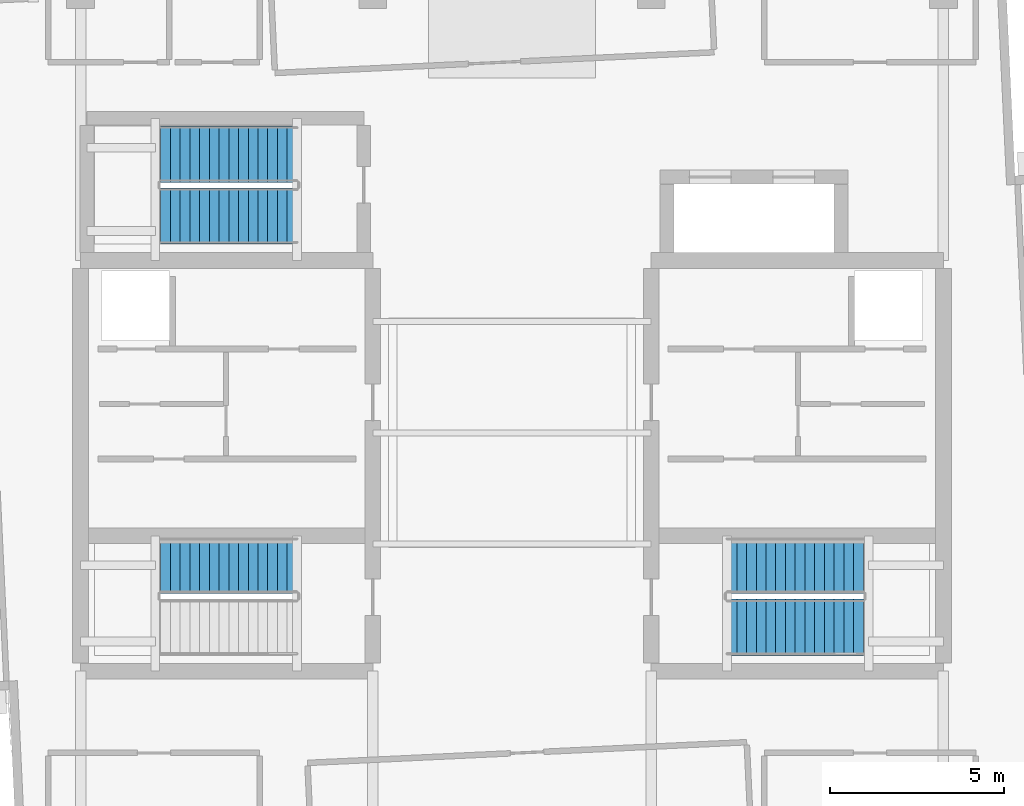
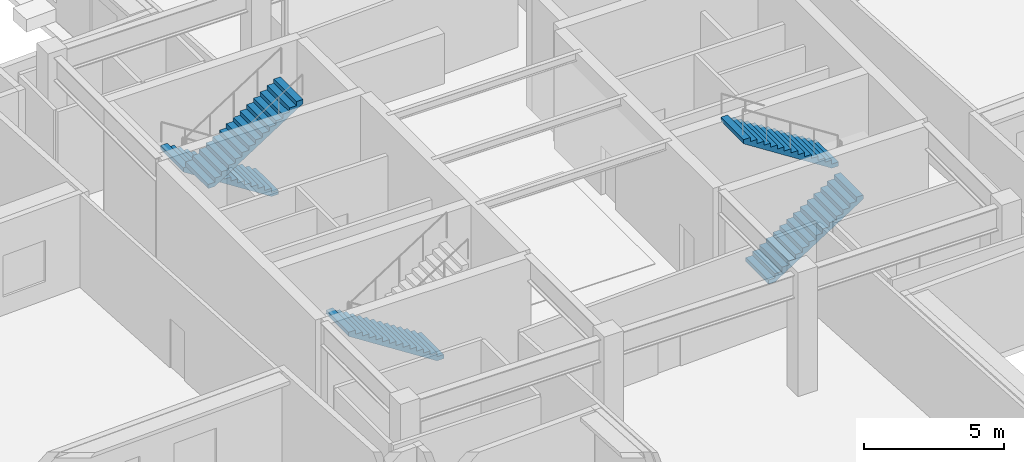
# One storey, part 16 of 22: 5 stair flights, 3 elements without a shape of their own.
"""IFC4 building model written with IfcOpenShell, lengths in metres."""

from ifc_helpers import new_model, si_unit, direction, frame, origin, place, context, subcontext, project, spatial, polyline, outline, extrude, material, layer, layer_set, type_object, element, aggregate, save


model = new_model("IFC4")

# Units and contexts
model_context = context("Model", 3, precision=1e-05, world=origin(), true_north=direction((0.0, 1.0)))
body_context = subcontext(model_context, "Body", "Model", "MODEL_VIEW")
ifc_project = project(units=[si_unit("LENGTHUNIT", "METRE"), si_unit("AREAUNIT", "SQUARE_METRE"), si_unit("VOLUMEUNIT", "CUBIC_METRE"), si_unit("PLANEANGLEUNIT", "RADIAN"), si_unit("MASSUNIT", "GRAM", prefix="KILO")], contexts=[model_context])

# Site, building, storey
site_placement = place(None, origin())
site = spatial("IfcSite", under=ifc_project, at=site_placement, CompositionType="ELEMENT")
building_placement = place(site_placement, origin())
building = spatial("IfcBuilding", under=site, at=building_placement, Name="Qingluan Cross Belvedere", CompositionType="ELEMENT")
storey_placement = place(building_placement, frame((0.0, 0.0, 294.0)))
storey = spatial("IfcBuildingStorey", under=building, at=storey_placement, Name="L73", CompositionType="ELEMENT", Elevation=294.0)

# Stair, stair flight
ifc_material_1 = material(Name="Concrete C40", Category="concrete")
stair_type = type_object("IfcStairType", Name="CoreDoglegStair_1620", PredefinedType="HALF_TURN_STAIR", material=ifc_material_1)
stair_1_placement = place(storey_placement, origin())
stair_1 = element("IfcStair", 1, at=stair_1_placement, inside=storey, type_object=stair_type, Name="L73 ST1", PredefinedType="HALF_TURN_STAIR")
ifc_material_2 = material(Name="Concrete C40", Category="concrete")
ifc_layer = layer(ifc_material_2, 0.179931640625, Name="StairFlight_RC180")
ifc_layer_set = layer_set([ifc_layer], Name="Concrete C40")
stair_flight_type = type_object("IfcStairFlightType", Name="StairFlight_RC180", PredefinedType="STRAIGHT", material=ifc_layer_set)
stair_flight_1_placement = place(storey_placement, frame((-6.179931640625, -3.81005859375, 0.0), z_axis=(0.0, 0.0, 1.0), x_axis=(-1.0, 0.0, 0.0)))
stair_flight_1 = element("IfcStairFlight", 2, at=stair_flight_1_placement, type_object=stair_flight_type, Name="ST1 flight 1", NumberOfRisers=15, NumberOfTreads=14, PredefinedType="STRAIGHT", RiserHeight=0.18, TreadLength=0.28, context=body_context, shape_type="SweptSolid", body=[
    extrude(outline(polyline([(0.0, 0.0), (0.0, 0.179931640625), (0.280029296875, 0.179931640625), (0.280029296875, 0.360107421875), (0.56005859375, 0.360107421875), (0.56005859375, 0.5400390625), (0.840087890625, 0.5400390625), (0.840087890625, 0.719970703125), (1.1201171875, 0.719970703125), (1.1201171875, 0.89990234375), (1.39990234375, 0.89990234375), (1.39990234375, 1.080078125), (1.679931640625, 1.080078125), (1.679931640625, 1.260009765625), (1.9599609375, 1.260009765625), (1.9599609375, 1.43994140625), (2.239990234375, 1.43994140625), (2.239990234375, 1.6201171875), (2.52001953125, 1.6201171875), (2.52001953125, 1.800048828125), (2.800048828125, 1.800048828125), (2.800048828125, 1.97998046875), (3.080078125, 1.97998046875), (3.080078125, 2.159912109375), (3.360107421875, 2.159912109375), (3.360107421875, 2.340087890625), (3.639892578125, 2.340087890625), (3.639892578125, 2.52001953125), (3.919921875, 2.52001953125), (3.919921875, 2.699951171875), (3.919921875, 2.341796875), (0.277099609375, 0.0), (0.0, 0.0)])), frame((0.0, 0.81005859375, 0.0), z_axis=(0.0, -1.0, 0.0), x_axis=(1.0, 0.0, 0.0)), (0.0, 0.0, 1.0), 1.6201171875),
])
aggregate(stair_1, [stair_flight_1])

# Stair, stair flights
stair_2_placement = place(storey_placement, origin())
stair_2 = element("IfcStair", 3, at=stair_2_placement, inside=storey, type_object=stair_type, Name="L73 ST2", PredefinedType="HALF_TURN_STAIR")
stair_flight_2_placement = place(storey_placement, frame((6.179931640625, -5.590087890625, 0.0), z_axis=(0.0, 0.0, 1.0), x_axis=(1.0, 0.0, 0.0)))
stair_flight_2 = element("IfcStairFlight", 4, at=stair_flight_2_placement, type_object=stair_flight_type, Name="ST2 flight 1", NumberOfRisers=15, NumberOfTreads=14, PredefinedType="STRAIGHT", RiserHeight=0.18, TreadLength=0.28, context=body_context, shape_type="SweptSolid", body=[
    extrude(outline(polyline([(0.0, 0.0), (0.0, 0.179931640625), (0.280029296875, 0.179931640625), (0.280029296875, 0.360107421875), (0.56005859375, 0.360107421875), (0.56005859375, 0.5400390625), (0.840087890625, 0.5400390625), (0.840087890625, 0.719970703125), (1.1201171875, 0.719970703125), (1.1201171875, 0.89990234375), (1.39990234375, 0.89990234375), (1.39990234375, 1.080078125), (1.679931640625, 1.080078125), (1.679931640625, 1.260009765625), (1.9599609375, 1.260009765625), (1.9599609375, 1.43994140625), (2.239990234375, 1.43994140625), (2.239990234375, 1.6201171875), (2.52001953125, 1.6201171875), (2.52001953125, 1.800048828125), (2.800048828125, 1.800048828125), (2.800048828125, 1.97998046875), (3.080078125, 1.97998046875), (3.080078125, 2.159912109375), (3.360107421875, 2.159912109375), (3.360107421875, 2.340087890625), (3.639892578125, 2.340087890625), (3.639892578125, 2.52001953125), (3.919921875, 2.52001953125), (3.919921875, 2.699951171875), (3.919921875, 2.341796875), (0.277099609375, 0.0), (0.0, 0.0)])), frame((0.0, 0.81005859375, 0.0), z_axis=(0.0, -1.0, 0.0), x_axis=(1.0, 0.0, 0.0)), (0.0, 0.0, 1.0), 1.6201171875),
])
stair_flight_3_placement = place(storey_placement, frame((10.10009765625, -3.81005859375, 2.699951171875), z_axis=(0.0, 0.0, 1.0), x_axis=(-1.0, 0.0, 0.0)))
stair_flight_3 = element("IfcStairFlight", 5, at=stair_flight_3_placement, type_object=stair_flight_type, Name="ST2 flight 2", NumberOfRisers=15, NumberOfTreads=14, PredefinedType="STRAIGHT", RiserHeight=0.18, TreadLength=0.28, context=body_context, shape_type="SweptSolid", body=[
    extrude(outline(polyline([(0.0, 0.0), (0.0, 0.179931640625), (0.280029296875, 0.179931640625), (0.280029296875, 0.360107421875), (0.56005859375, 0.360107421875), (0.56005859375, 0.5400390625), (0.840087890625, 0.5400390625), (0.840087890625, 0.719970703125), (1.1201171875, 0.719970703125), (1.1201171875, 0.89990234375), (1.39990234375, 0.89990234375), (1.39990234375, 1.080078125), (1.679931640625, 1.080078125), (1.679931640625, 1.260009765625), (1.9599609375, 1.260009765625), (1.9599609375, 1.43994140625), (2.239990234375, 1.43994140625), (2.239990234375, 1.6201171875), (2.52001953125, 1.6201171875), (2.52001953125, 1.800048828125), (2.800048828125, 1.800048828125), (2.800048828125, 1.97998046875), (3.080078125, 1.97998046875), (3.080078125, 2.159912109375), (3.360107421875, 2.159912109375), (3.360107421875, 2.340087890625), (3.639892578125, 2.340087890625), (3.639892578125, 2.52001953125), (3.919921875, 2.52001953125), (3.919921875, 2.699951171875), (3.919921875, 2.341796875), (0.277099609375, 0.0), (0.0, 0.0)])), frame((0.0, 0.81005859375, 0.0), z_axis=(0.0, -1.0, 0.0), x_axis=(1.0, 0.0, 0.0)), (0.0, 0.0, 1.0), 1.6201171875),
])
aggregate(stair_2, [stair_flight_2, stair_flight_3])

stair_3_placement = place(storey_placement, origin())
stair_3 = element("IfcStair", 6, at=stair_3_placement, inside=storey, type_object=stair_type, Name="L73 ST3", PredefinedType="HALF_TURN_STAIR")
stair_flight_4_placement = place(storey_placement, frame((-6.179931640625, 8.010009765625, 0.0), z_axis=(0.0, 0.0, 1.0), x_axis=(-1.0, 0.0, 0.0)))
stair_flight_4 = element("IfcStairFlight", 7, at=stair_flight_4_placement, type_object=stair_flight_type, Name="ST3 flight 1", NumberOfRisers=15, NumberOfTreads=14, PredefinedType="STRAIGHT", RiserHeight=0.18, TreadLength=0.28, context=body_context, shape_type="SweptSolid", body=[
    extrude(outline(polyline([(0.0, 0.0), (0.0, 0.179931640625), (0.280029296875, 0.179931640625), (0.280029296875, 0.360107421875), (0.56005859375, 0.360107421875), (0.56005859375, 0.5400390625), (0.840087890625, 0.5400390625), (0.840087890625, 0.719970703125), (1.1201171875, 0.719970703125), (1.1201171875, 0.89990234375), (1.39990234375, 0.89990234375), (1.39990234375, 1.080078125), (1.679931640625, 1.080078125), (1.679931640625, 1.260009765625), (1.9599609375, 1.260009765625), (1.9599609375, 1.43994140625), (2.239990234375, 1.43994140625), (2.239990234375, 1.6201171875), (2.52001953125, 1.6201171875), (2.52001953125, 1.800048828125), (2.800048828125, 1.800048828125), (2.800048828125, 1.97998046875), (3.080078125, 1.97998046875), (3.080078125, 2.159912109375), (3.360107421875, 2.159912109375), (3.360107421875, 2.340087890625), (3.639892578125, 2.340087890625), (3.639892578125, 2.52001953125), (3.919921875, 2.52001953125), (3.919921875, 2.699951171875), (3.919921875, 2.341796875), (0.277099609375, 0.0), (0.0, 0.0)])), frame((0.0, 0.81005859375, 0.0), z_axis=(0.0, -1.0, 0.0), x_axis=(1.0, 0.0, 0.0)), (0.0, 0.0, 1.0), 1.6201171875),
])
stair_flight_5_placement = place(storey_placement, frame((-10.10009765625, 6.22998046875, 2.699951171875), z_axis=(0.0, 0.0, 1.0), x_axis=(1.0, 0.0, 0.0)))
stair_flight_5 = element("IfcStairFlight", 8, at=stair_flight_5_placement, type_object=stair_flight_type, Name="ST3 flight 2", NumberOfRisers=15, NumberOfTreads=14, PredefinedType="STRAIGHT", RiserHeight=0.18, TreadLength=0.28, context=body_context, shape_type="SweptSolid", body=[
    extrude(outline(polyline([(0.0, 0.0), (0.0, 0.179931640625), (0.280029296875, 0.179931640625), (0.280029296875, 0.360107421875), (0.56005859375, 0.360107421875), (0.56005859375, 0.5400390625), (0.840087890625, 0.5400390625), (0.840087890625, 0.719970703125), (1.1201171875, 0.719970703125), (1.1201171875, 0.89990234375), (1.39990234375, 0.89990234375), (1.39990234375, 1.080078125), (1.679931640625, 1.080078125), (1.679931640625, 1.260009765625), (1.9599609375, 1.260009765625), (1.9599609375, 1.43994140625), (2.239990234375, 1.43994140625), (2.239990234375, 1.6201171875), (2.52001953125, 1.6201171875), (2.52001953125, 1.800048828125), (2.800048828125, 1.800048828125), (2.800048828125, 1.97998046875), (3.080078125, 1.97998046875), (3.080078125, 2.159912109375), (3.360107421875, 2.159912109375), (3.360107421875, 2.340087890625), (3.639892578125, 2.340087890625), (3.639892578125, 2.52001953125), (3.919921875, 2.52001953125), (3.919921875, 2.699951171875), (3.919921875, 2.341796875), (0.277099609375, 0.0), (0.0, 0.0)])), frame((0.0, 0.81005859375, 0.0), z_axis=(0.0, -1.0, 0.0), x_axis=(1.0, 0.0, 0.0)), (0.0, 0.0, 1.0), 1.6201171875),
])
aggregate(stair_3, [stair_flight_4, stair_flight_5])

save(model, "model.ifc")
